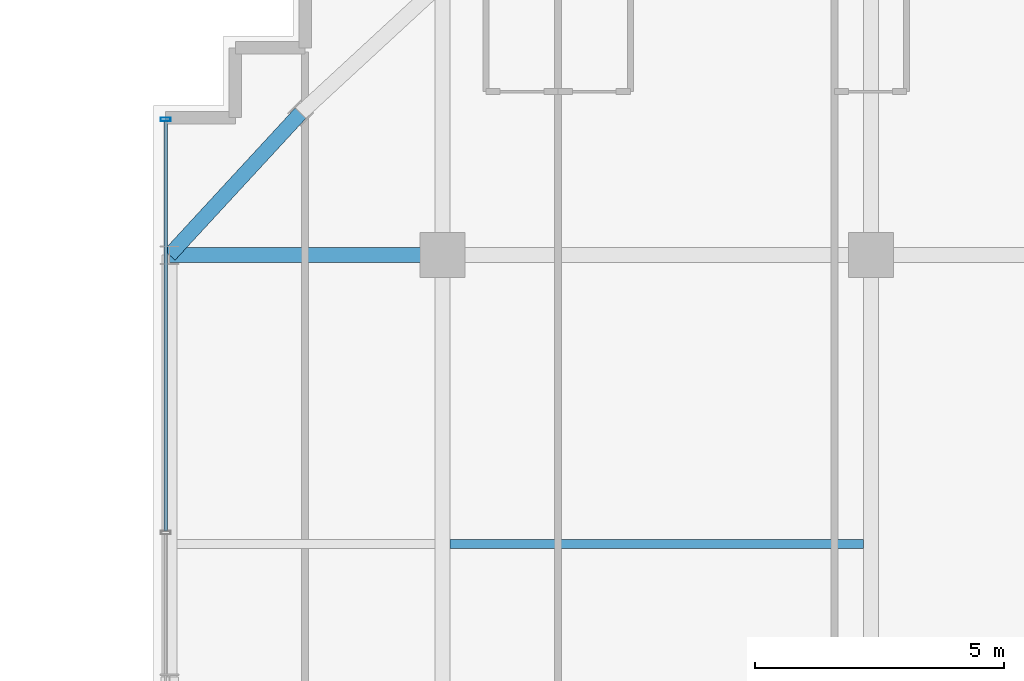
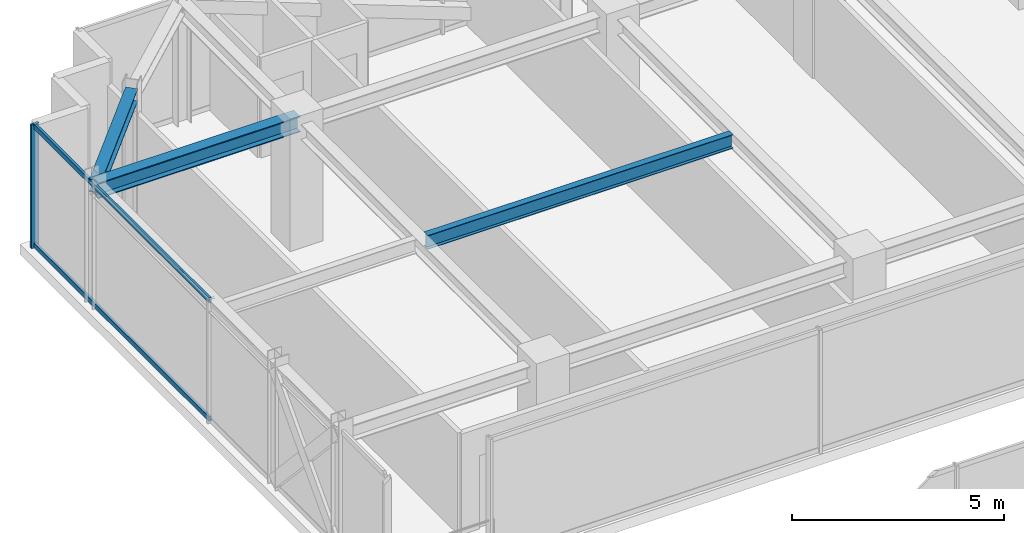
# One storey, part 22 of 37: 3 beams, 3 members, 1 element without a shape of its own.
"""IFC4 building model written with IfcOpenShell, lengths in metres."""

from ifc_helpers import new_model, si_unit, direction, frame, origin, origin_2d, place, context, subcontext, project, spatial, hollow_rectangle, i_section, extrude, source, transform, mapped, material, material_profile, profile_set, type_object, element, aggregate, save


model = new_model("IFC4")

# Units and contexts
model_context = context("Model", 3, precision=1e-05, world=origin(), true_north=direction((0.0, 1.0)))
body_context = subcontext(model_context, "Body", "Model", "MODEL_VIEW")
ifc_project = project(units=[si_unit("LENGTHUNIT", "METRE"), si_unit("AREAUNIT", "SQUARE_METRE"), si_unit("VOLUMEUNIT", "CUBIC_METRE"), si_unit("PLANEANGLEUNIT", "RADIAN"), si_unit("MASSUNIT", "GRAM", prefix="KILO")], contexts=[model_context])

# Site, building, storey
site_placement = place(None, origin())
site = spatial("IfcSite", under=ifc_project, at=site_placement, CompositionType="ELEMENT")
building_placement = place(site_placement, origin())
building = spatial("IfcBuilding", under=site, at=building_placement, Name="Nahalor Promenade Grand Hotel", CompositionType="ELEMENT")
storey_placement = place(building_placement, frame((0.0, 0.0, 292.64990234375)))
storey = spatial("IfcBuildingStorey", under=building, at=storey_placement, Name="L75", CompositionType="ELEMENT", Elevation=292.64990234375)

# Beams
ifc_material_1 = material(Name="Steel S355JR", Category="steel")
ifc_material_profile_1 = material_profile(ifc_material_1, i_section(OverallWidth=0.18, OverallDepth=0.4, WebThickness=0.0086, FlangeThickness=0.0135, at=origin_2d()), Name="IPE 400")
ifc_profile_set_1 = profile_set([ifc_material_profile_1], Name="Steel S355JR")
beam_type_1 = type_object("IfcBeamType", Name="Beam-Joist-IPE400", PredefinedType="JOIST", material=ifc_profile_set_1)
shared_shape_1 = source(origin(), body_context, "Body", "SweptSolid", [
    extrude(i_section(OverallWidth=0.18, OverallDepth=0.4, WebThickness=0.0086, FlangeThickness=0.0135, at=origin_2d()), origin(), (0.0, 0.0, 1.0), 8.300048828125),
])
beam_1_placement = place(storey_placement, frame((-16.85009765625, 11.199951171875, 3.35009765625), z_axis=(1.0, 0.0, 0.0), x_axis=(0.0, 1.0, 0.0)))
element("IfcBeam", 1, at=beam_1_placement, inside=storey, type_object=beam_type_1, Name="BM-L75-JSW-1-1", PredefinedType="JOIST", context=body_context, shape_type="MappedRepresentation", body=[
    mapped(shared_shape_1, transform((0.0, 0.0, 0.0), scale=1.0)),
])
ifc_material_profile_2 = material_profile(ifc_material_1, i_section(OverallWidth=0.3, OverallDepth=0.45, WebThickness=0.014, FlangeThickness=0.026, at=origin_2d()), Name="HEB 450")
ifc_profile_set_2 = profile_set([ifc_material_profile_2], Name="Steel S355JR")
beam_type_2 = type_object("IfcBeamType", Name="Beam-Girder-HEB450", PredefinedType="BEAM", material=ifc_profile_set_2)
shared_shape_2 = source(origin(), body_context, "Body", "SweptSolid", [
    extrude(i_section(OverallWidth=0.3, OverallDepth=0.45, WebThickness=0.014, FlangeThickness=0.026, at=origin_2d()), origin(), (0.0, 0.0, 1.0), 5.47998046875),
])
beam_2_placement = place(storey_placement, frame((-22.47998046875, 17.0, 3.3251953125), z_axis=(1.0, 0.0, 0.0), x_axis=(0.0, 1.0, 0.0)))
element("IfcBeam", 2, at=beam_2_placement, inside=storey, type_object=beam_type_2, Name="BM-L75-GX-3-0", PredefinedType="BEAM", context=body_context, shape_type="MappedRepresentation", body=[
    mapped(shared_shape_2, transform((0.0, 0.0, 0.0), scale=1.0)),
])
ifc_material_profile_3 = material_profile(ifc_material_1, i_section(OverallWidth=0.3, OverallDepth=0.36, WebThickness=0.0125, FlangeThickness=0.0225, at=origin_2d()), Name="HEB 360")
ifc_profile_set_3 = profile_set([ifc_material_profile_3], Name="Steel S355JR")
beam_type_3 = type_object("IfcBeamType", Name="Beam-Spandrel-HEB360", PredefinedType="SPANDREL", material=ifc_profile_set_3)
shared_shape_3 = source(origin(), body_context, "Body", "SweptSolid", [
    extrude(i_section(OverallWidth=0.3, OverallDepth=0.36, WebThickness=0.0125, FlangeThickness=0.0225, at=origin_2d()), origin(), (0.0, 0.0, 1.0), 3.878173828125),
])
beam_3_placement = place(storey_placement, frame((-19.85009765625, 19.85009765625, 3.3701171875), z_axis=(-0.678144125843, -0.73492893846, 0.0), x_axis=(0.73492893846, -0.678144125843, 0.0)))
element("IfcBeam", 3, at=beam_3_placement, inside=storey, type_object=beam_type_3, Name="BM-L75-SPC-NW-2", PredefinedType="SPANDREL", context=body_context, shape_type="MappedRepresentation", body=[
    mapped(shared_shape_3, transform((0.0, 0.0, 0.0), scale=1.0)),
])

# Curtain wall, members
ifc_material_2 = material(Name="Anodised Bronze Aluminium EN AW-6063 T6", Category="aluminium")
curtain_wall_type = type_object("IfcCurtainWallType", Name="CW3 Elliptical-Void Collar Unitised Curtain Wall", PredefinedType="USERDEFINED", material=ifc_material_2)
curtain_wall_placement = place(storey_placement, origin())
curtain_wall = element("IfcCurtainWall", 4, at=curtain_wall_placement, inside=storey, type_object=curtain_wall_type, Name="L75 Curtain Wall CW-L75-W-4", ObjectType="UNITISED_CURTAIN_WALL", PredefinedType="USERDEFINED")
ifc_material_profile_4 = material_profile(ifc_material_2, hollow_rectangle(XDim=0.07, YDim=0.14, WallThickness=0.004, at=origin_2d()), Name="CWT 70x140x4")
ifc_profile_set_4 = profile_set([ifc_material_profile_4], Name="Anodised Bronze Aluminium EN AW-6063 T6")
member_type_1 = type_object("IfcMemberType", Name="CWT3 Void Collar Transom 70x140", PredefinedType="USERDEFINED", material=ifc_profile_set_4)
shared_shape_4 = source(origin(), body_context, "Body", "SweptSolid", [
    extrude(hollow_rectangle(XDim=0.07, YDim=0.14, WallThickness=0.004, at=origin_2d()), origin(), (0.0, 0.0, 1.0), 8.224853515625),
])
member_1_placement = place(storey_placement, frame((-22.56005859375, 11.465087890625, 0.070068359375), z_axis=(0.0, 1.0, 0.0), x_axis=(-1.0, 0.0, 0.0)))
member_1 = element("IfcMember", 5, at=member_1_placement, type_object=member_type_1, Name="CW-L75-W-4 Transom 1-0", ObjectType="TRANSOM", PredefinedType="USERDEFINED", context=body_context, shape_type="MappedRepresentation", body=[
    mapped(shared_shape_4, transform((0.0, 0.0, 0.0), scale=1.0)),
])
member_2_placement = place(storey_placement, frame((-22.56005859375, 11.465087890625, 3.47998046875), z_axis=(0.0, 1.0, 0.0), x_axis=(-1.0, 0.0, 0.0)))
member_2 = element("IfcMember", 6, at=member_2_placement, type_object=member_type_1, Name="CW-L75-W-4 Transom 1-1", ObjectType="TRANSOM", PredefinedType="USERDEFINED", context=body_context, shape_type="MappedRepresentation", body=[
    mapped(shared_shape_4, transform((0.0, 0.0, 0.0), scale=1.0)),
])
ifc_material_profile_5 = material_profile(ifc_material_2, hollow_rectangle(XDim=0.07, YDim=0.2, WallThickness=0.005, at=origin_2d()), Name="CWM 70x200x5")
ifc_profile_set_5 = profile_set([ifc_material_profile_5], Name="Anodised Bronze Aluminium EN AW-6063 T6")
member_type_2 = type_object("IfcMemberType", Name="CWM3 Void Collar Mullion 70x200", PredefinedType="MULLION", material=ifc_profile_set_5)
shared_shape_5 = source(origin(), body_context, "Body", "SweptSolid", [
    extrude(hollow_rectangle(XDim=0.07, YDim=0.2, WallThickness=0.005, at=origin_2d()), origin(), (0.0, 0.0, 1.0), 3.550048828125),
])
member_3_placement = place(storey_placement, frame((-22.56005859375, 19.72509765625, 0.0), z_axis=(0.0, 0.0, 1.0), x_axis=(0.0, 1.0, 0.0)))
member_3 = element("IfcMember", 7, at=member_3_placement, type_object=member_type_2, Name="CW-L75-W-4 Mullion 2", PredefinedType="MULLION", context=body_context, shape_type="MappedRepresentation", body=[
    mapped(shared_shape_5, transform((0.0, 0.0, 0.0), scale=1.0)),
])
aggregate(curtain_wall, [member_3, member_1, member_2])

save(model, "model.ifc")
